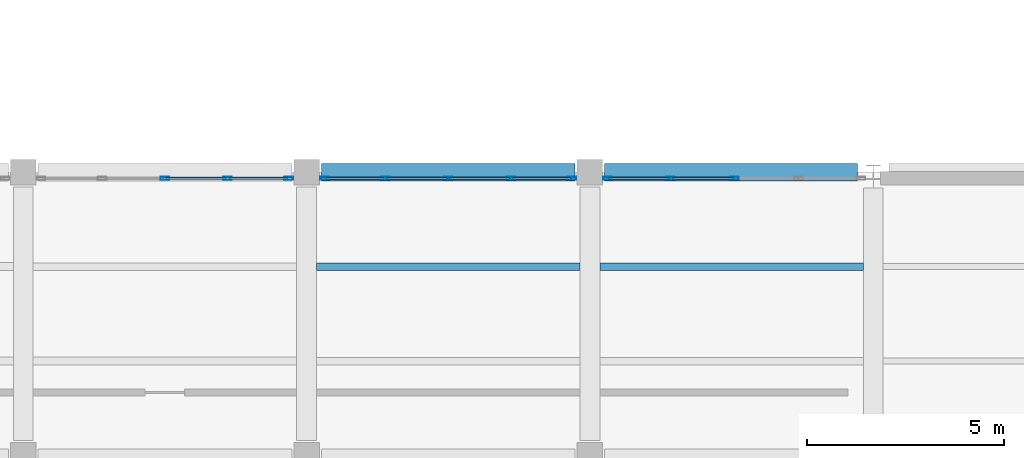
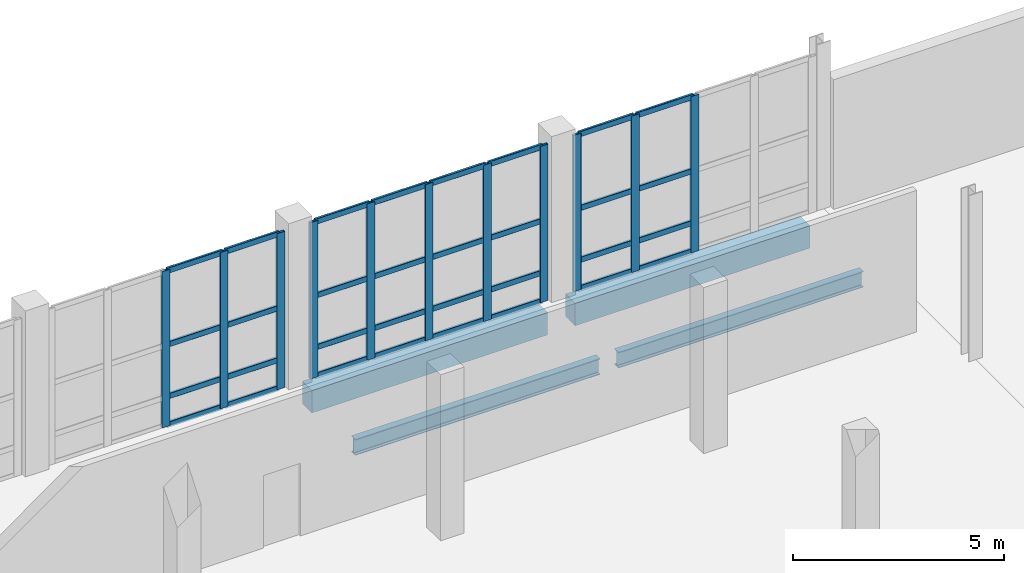
# One storey, part 39 of 127: 43 members, 4 beams, 3 elements without a shape of their own.
"""IFC4 building model written with IfcOpenShell, lengths in metres."""

from ifc_helpers import new_model, si_unit, direction, frame, origin, origin_2d, place, context, subcontext, project, spatial, rectangle, hollow_rectangle, i_section, extrude, material, material_profile, profile_set, type_object, element, aggregate, save


model = new_model("IFC4")

# Units and contexts
model_context = context("Model", 3, precision=1e-05, world=origin(), true_north=direction((0.0, 1.0)))
body_context = subcontext(model_context, "Body", "Model", "MODEL_VIEW")
ifc_project = project(units=[si_unit("LENGTHUNIT", "METRE"), si_unit("AREAUNIT", "SQUARE_METRE"), si_unit("VOLUMEUNIT", "CUBIC_METRE"), si_unit("PLANEANGLEUNIT", "RADIAN"), si_unit("MASSUNIT", "GRAM", prefix="KILO")], contexts=[model_context])

# Site, building, storey
site_placement = place(None, origin())
site = spatial("IfcSite", under=ifc_project, at=site_placement, CompositionType="ELEMENT")
building_placement = place(site_placement, origin())
building = spatial("IfcBuilding", under=site, at=building_placement, Name="Kalmorath City Hall", CompositionType="ELEMENT")
storey_placement = place(building_placement, frame((0.0, 0.0, 5.39990234375)))
storey = spatial("IfcBuildingStorey", under=building, at=storey_placement, Name="L01", CompositionType="ELEMENT", Elevation=5.39990234375)

# Beams
ifc_material_1 = material(Name="Concrete C40/50", Category="concrete")
ifc_material_profile_1 = material_profile(ifc_material_1, rectangle(XDim=0.449951171875, YDim=0.64990234375, at=origin_2d()), Name="RC-BM-450X650")
ifc_profile_set_1 = profile_set([ifc_material_profile_1], Name="Concrete C40/50")
beam_type_1 = type_object("IfcBeamType", Name="Concrete spandrel beam 450x650", PredefinedType="SPANDREL", material=ifc_profile_set_1)
beam_1_placement = place(storey_placement, frame((101.175048828125, 43.199951171875, -0.64892578125), z_axis=(1.0, 0.0, 0.0), x_axis=(0.0, 1.0, 0.0)))
element("IfcBeam", 1, at=beam_1_placement, inside=storey, type_object=beam_type_1, Name="L01 girder CB5 X15-16/7", PredefinedType="SPANDREL", context=body_context, shape_type="SweptSolid", body=[
    extrude(rectangle(XDim=0.449951171875, YDim=0.64990234375, at=origin_2d()), origin(), (0.0, 0.0, 1.0), 6.449951171875),
])
beam_2_placement = place(storey_placement, frame((108.375, 43.199951171875, -0.64892578125), z_axis=(1.0, 0.0, 0.0), x_axis=(0.0, 1.0, 0.0)))
element("IfcBeam", 2, at=beam_2_placement, inside=storey, type_object=beam_type_1, Name="L01 girder CB5 X16-17/7", PredefinedType="SPANDREL", context=body_context, shape_type="SweptSolid", body=[
    extrude(rectangle(XDim=0.449951171875, YDim=0.64990234375, at=origin_2d()), origin(), (0.0, 0.0, 1.0), 6.425048828125),
])

# Curtain wall, members
ifc_material_2 = material(Name="Anodised aluminium and laminated glass", Category="aluminium")
curtain_wall_type_1 = type_object("IfcCurtainWallType", Name="Unitised hurricane curtain wall 6370x4520 M1500", PredefinedType="NOTDEFINED", material=ifc_material_2)
curtain_wall_1_placement = place(storey_placement, origin())
curtain_wall_1 = element("IfcCurtainWall", 3, at=curtain_wall_1_placement, inside=storey, type_object=curtain_wall_type_1, Name="L01 curtain wall CW-64X45M15 #90", PredefinedType="NOTDEFINED")
ifc_material_3 = material(Name="Anodised aluminium framing", Category="aluminium")
ifc_material_profile_2 = material_profile(ifc_material_3, hollow_rectangle(XDim=0.074951171875, YDim=0.219970703125, WallThickness=0.00390625, InnerFilletRadius=0.00390625, OuterFilletRadius=0.008056640625, at=origin_2d()), Name="ALU-MUL-220X75X4")
ifc_profile_set_2 = profile_set([ifc_material_profile_2], Name="Anodised aluminium framing")
member_type_1 = type_object("IfcMemberType", Name="Curtain-wall primary mullion 220x75", PredefinedType="MULLION", material=ifc_profile_set_2)
member_1_placement = place(storey_placement, frame((97.199951171875, 43.0400390625, 0.0), z_axis=(0.0, 0.0, 1.0), x_axis=(0.0, 1.0, 0.0)))
member_1 = element("IfcMember", 4, at=member_1_placement, type_object=member_type_1, Name="CW-64X45M15 mullion 3", PredefinedType="MULLION", context=body_context, shape_type="SweptSolid", body=[
    extrude(hollow_rectangle(XDim=0.074951171875, YDim=0.219970703125, WallThickness=0.00390625, InnerFilletRadius=0.00390625, OuterFilletRadius=0.008056640625, at=origin_2d()), origin(), (0.0, 0.0, 1.0), 4.52001953125),
])
member_2_placement = place(storey_placement, frame((98.79248046875, 43.0400390625, 0.0), z_axis=(0.0, 0.0, 1.0), x_axis=(0.0, 1.0, 0.0)))
member_2 = element("IfcMember", 5, at=member_2_placement, type_object=member_type_1, Name="CW-64X45M15 mullion 4", PredefinedType="MULLION", context=body_context, shape_type="SweptSolid", body=[
    extrude(hollow_rectangle(XDim=0.074951171875, YDim=0.219970703125, WallThickness=0.00390625, InnerFilletRadius=0.00390625, OuterFilletRadius=0.008056640625, at=origin_2d()), origin(), (0.0, 0.0, 1.0), 4.52001953125),
])
member_3_placement = place(storey_placement, frame((100.347412109375, 43.0400390625, 0.0), z_axis=(0.0, 0.0, 1.0), x_axis=(0.0, 1.0, 0.0)))
member_3 = element("IfcMember", 6, at=member_3_placement, type_object=member_type_1, Name="CW-64X45M15 mullion 5", PredefinedType="MULLION", context=body_context, shape_type="SweptSolid", body=[
    extrude(hollow_rectangle(XDim=0.074951171875, YDim=0.219970703125, WallThickness=0.00390625, InnerFilletRadius=0.00390625, OuterFilletRadius=0.008056640625, at=origin_2d()), origin(), (0.0, 0.0, 1.0), 4.52001953125),
])

ifc_material_4 = material(Name="Anodised aluminium and laminated glass", Category="aluminium")
curtain_wall_type_2 = type_object("IfcCurtainWallType", Name="Unitised hurricane curtain wall 6370x4520 M1800", PredefinedType="NOTDEFINED", material=ifc_material_4)
curtain_wall_2_placement = place(storey_placement, origin())
curtain_wall_2 = element("IfcCurtainWall", 7, at=curtain_wall_2_placement, inside=storey, type_object=curtain_wall_type_2, Name="L01 curtain wall CW-64X45M18 #91", PredefinedType="NOTDEFINED")
member_4_placement = place(storey_placement, frame((101.25244140625, 43.0400390625, 0.0), z_axis=(0.0, 0.0, 1.0), x_axis=(0.0, 1.0, 0.0)))
member_4 = element("IfcMember", 8, at=member_4_placement, type_object=member_type_1, Name="CW-64X45M18 mullion 1", PredefinedType="MULLION", context=body_context, shape_type="SweptSolid", body=[
    extrude(hollow_rectangle(XDim=0.074951171875, YDim=0.219970703125, WallThickness=0.00390625, InnerFilletRadius=0.00390625, OuterFilletRadius=0.008056640625, at=origin_2d()), origin(), (0.0, 0.0, 1.0), 4.52001953125),
])
member_5_placement = place(storey_placement, frame((102.8076171875, 43.0400390625, 0.0), z_axis=(0.0, 0.0, 1.0), x_axis=(0.0, 1.0, 0.0)))
member_5 = element("IfcMember", 9, at=member_5_placement, type_object=member_type_1, Name="CW-64X45M18 mullion 2", PredefinedType="MULLION", context=body_context, shape_type="SweptSolid", body=[
    extrude(hollow_rectangle(XDim=0.074951171875, YDim=0.219970703125, WallThickness=0.00390625, InnerFilletRadius=0.00390625, OuterFilletRadius=0.008056640625, at=origin_2d()), origin(), (0.0, 0.0, 1.0), 4.52001953125),
])
member_6_placement = place(storey_placement, frame((104.39990234375, 43.0400390625, 0.0), z_axis=(0.0, 0.0, 1.0), x_axis=(0.0, 1.0, 0.0)))
member_6 = element("IfcMember", 10, at=member_6_placement, type_object=member_type_1, Name="CW-64X45M18 mullion 3", PredefinedType="MULLION", context=body_context, shape_type="SweptSolid", body=[
    extrude(hollow_rectangle(XDim=0.074951171875, YDim=0.219970703125, WallThickness=0.00390625, InnerFilletRadius=0.00390625, OuterFilletRadius=0.008056640625, at=origin_2d()), origin(), (0.0, 0.0, 1.0), 4.52001953125),
])
member_7_placement = place(storey_placement, frame((105.992431640625, 43.0400390625, 0.0), z_axis=(0.0, 0.0, 1.0), x_axis=(0.0, 1.0, 0.0)))
member_7 = element("IfcMember", 11, at=member_7_placement, type_object=member_type_1, Name="CW-64X45M18 mullion 4", PredefinedType="MULLION", context=body_context, shape_type="SweptSolid", body=[
    extrude(hollow_rectangle(XDim=0.074951171875, YDim=0.219970703125, WallThickness=0.00390625, InnerFilletRadius=0.00390625, OuterFilletRadius=0.008056640625, at=origin_2d()), origin(), (0.0, 0.0, 1.0), 4.52001953125),
])
member_8_placement = place(storey_placement, frame((107.547607421875, 43.0400390625, 0.0), z_axis=(0.0, 0.0, 1.0), x_axis=(0.0, 1.0, 0.0)))
member_8 = element("IfcMember", 12, at=member_8_placement, type_object=member_type_1, Name="CW-64X45M18 mullion 5", PredefinedType="MULLION", context=body_context, shape_type="SweptSolid", body=[
    extrude(hollow_rectangle(XDim=0.074951171875, YDim=0.219970703125, WallThickness=0.00390625, InnerFilletRadius=0.00390625, OuterFilletRadius=0.008056640625, at=origin_2d()), origin(), (0.0, 0.0, 1.0), 4.52001953125),
])

ifc_material_5 = material(Name="Anodised aluminium and laminated glass", Category="aluminium")
curtain_wall_type_3 = type_object("IfcCurtainWallType", Name="Unitised hurricane curtain wall 6508x4520 M1500", PredefinedType="NOTDEFINED", material=ifc_material_5)
curtain_wall_3_placement = place(storey_placement, origin())
curtain_wall_3 = element("IfcCurtainWall", 13, at=curtain_wall_3_placement, inside=storey, type_object=curtain_wall_type_3, Name="L01 curtain wall CW-65X45M15 #92", PredefinedType="NOTDEFINED")
member_9_placement = place(storey_placement, frame((108.452392578125, 43.0400390625, 0.0), z_axis=(0.0, 0.0, 1.0), x_axis=(0.0, 1.0, 0.0)))
member_9 = element("IfcMember", 14, at=member_9_placement, type_object=member_type_1, Name="CW-65X45M15 mullion 1", PredefinedType="MULLION", context=body_context, shape_type="SweptSolid", body=[
    extrude(hollow_rectangle(XDim=0.074951171875, YDim=0.219970703125, WallThickness=0.00390625, InnerFilletRadius=0.00390625, OuterFilletRadius=0.008056640625, at=origin_2d()), origin(), (0.0, 0.0, 1.0), 4.52001953125),
])
member_10_placement = place(storey_placement, frame((110.0419921875, 43.0400390625, 0.0), z_axis=(0.0, 0.0, 1.0), x_axis=(0.0, 1.0, 0.0)))
member_10 = element("IfcMember", 15, at=member_10_placement, type_object=member_type_1, Name="CW-65X45M15 mullion 2", PredefinedType="MULLION", context=body_context, shape_type="SweptSolid", body=[
    extrude(hollow_rectangle(XDim=0.074951171875, YDim=0.219970703125, WallThickness=0.00390625, InnerFilletRadius=0.00390625, OuterFilletRadius=0.008056640625, at=origin_2d()), origin(), (0.0, 0.0, 1.0), 4.52001953125),
])
member_11_placement = place(storey_placement, frame((111.6689453125, 43.0400390625, 0.0), z_axis=(0.0, 0.0, 1.0), x_axis=(0.0, 1.0, 0.0)))
member_11 = element("IfcMember", 16, at=member_11_placement, type_object=member_type_1, Name="CW-65X45M15 mullion 3", PredefinedType="MULLION", context=body_context, shape_type="SweptSolid", body=[
    extrude(hollow_rectangle(XDim=0.074951171875, YDim=0.219970703125, WallThickness=0.00390625, InnerFilletRadius=0.00390625, OuterFilletRadius=0.008056640625, at=origin_2d()), origin(), (0.0, 0.0, 1.0), 4.52001953125),
])

# Member
ifc_material_6 = material(Name="Anodised aluminium framing", Category="aluminium")
ifc_material_profile_3 = material_profile(ifc_material_6, hollow_rectangle(XDim=0.06494140625, YDim=0.159912109375, WallThickness=0.00390625, InnerFilletRadius=0.00390625, OuterFilletRadius=0.008056640625, at=origin_2d()), Name="ALU-TRN-160X65X4")
ifc_profile_set_3 = profile_set([ifc_material_profile_3], Name="Anodised aluminium framing")
member_type_2 = type_object("IfcMemberType", Name="Curtain-wall primary transom 160x65", PredefinedType="USERDEFINED", material=ifc_profile_set_3)
member_12_placement = place(storey_placement, frame((97.237548828125, 43.0400390625, 0.03271484375), z_axis=(1.0, 0.0, 0.0), x_axis=(0.0, 1.0, 0.0)))
member_12 = element("IfcMember", 17, at=member_12_placement, type_object=member_type_2, Name="CW-64X45M15 transom 3.1", ObjectType="TRANSOM", PredefinedType="USERDEFINED", context=body_context, shape_type="SweptSolid", body=[
    extrude(hollow_rectangle(XDim=0.06494140625, YDim=0.159912109375, WallThickness=0.00390625, InnerFilletRadius=0.00390625, OuterFilletRadius=0.008056640625, at=origin_2d()), origin(), (0.0, 0.0, 1.0), 1.517333984375),
])

member_13_placement = place(storey_placement, frame((97.237548828125, 43.0400390625, 0.85009765625), z_axis=(1.0, 0.0, 0.0), x_axis=(0.0, 1.0, 0.0)))
member_13 = element("IfcMember", 18, at=member_13_placement, type_object=member_type_2, Name="CW-64X45M15 transom 3.2", ObjectType="TRANSOM", PredefinedType="USERDEFINED", context=body_context, shape_type="SweptSolid", body=[
    extrude(hollow_rectangle(XDim=0.06494140625, YDim=0.159912109375, WallThickness=0.00390625, InnerFilletRadius=0.00390625, OuterFilletRadius=0.008056640625, at=origin_2d()), origin(), (0.0, 0.0, 1.0), 1.517333984375),
])

member_14_placement = place(storey_placement, frame((97.237548828125, 43.0400390625, 2.35009765625), z_axis=(1.0, 0.0, 0.0), x_axis=(0.0, 1.0, 0.0)))
member_14 = element("IfcMember", 19, at=member_14_placement, type_object=member_type_2, Name="CW-64X45M15 transom 3.3", ObjectType="TRANSOM", PredefinedType="USERDEFINED", context=body_context, shape_type="SweptSolid", body=[
    extrude(hollow_rectangle(XDim=0.06494140625, YDim=0.159912109375, WallThickness=0.00390625, InnerFilletRadius=0.00390625, OuterFilletRadius=0.008056640625, at=origin_2d()), origin(), (0.0, 0.0, 1.0), 1.517333984375),
])

member_15_placement = place(storey_placement, frame((97.237548828125, 43.0400390625, 4.487548828125), z_axis=(1.0, 0.0, 0.0), x_axis=(0.0, 1.0, 0.0)))
member_15 = element("IfcMember", 20, at=member_15_placement, type_object=member_type_2, Name="CW-64X45M15 transom 3.4", ObjectType="TRANSOM", PredefinedType="USERDEFINED", context=body_context, shape_type="SweptSolid", body=[
    extrude(hollow_rectangle(XDim=0.06494140625, YDim=0.159912109375, WallThickness=0.00390625, InnerFilletRadius=0.00390625, OuterFilletRadius=0.008056640625, at=origin_2d()), origin(), (0.0, 0.0, 1.0), 1.517333984375),
])

member_16_placement = place(storey_placement, frame((98.830078125, 43.0400390625, 0.03271484375), z_axis=(1.0, 0.0, 0.0), x_axis=(0.0, 1.0, 0.0)))
member_16 = element("IfcMember", 21, at=member_16_placement, type_object=member_type_2, Name="CW-64X45M15 transom 4.1", ObjectType="TRANSOM", PredefinedType="USERDEFINED", context=body_context, shape_type="SweptSolid", body=[
    extrude(hollow_rectangle(XDim=0.06494140625, YDim=0.159912109375, WallThickness=0.00390625, InnerFilletRadius=0.00390625, OuterFilletRadius=0.008056640625, at=origin_2d()), origin(), (0.0, 0.0, 1.0), 1.47998046875),
])

member_17_placement = place(storey_placement, frame((98.830078125, 43.0400390625, 0.85009765625), z_axis=(1.0, 0.0, 0.0), x_axis=(0.0, 1.0, 0.0)))
member_17 = element("IfcMember", 22, at=member_17_placement, type_object=member_type_2, Name="CW-64X45M15 transom 4.2", ObjectType="TRANSOM", PredefinedType="USERDEFINED", context=body_context, shape_type="SweptSolid", body=[
    extrude(hollow_rectangle(XDim=0.06494140625, YDim=0.159912109375, WallThickness=0.00390625, InnerFilletRadius=0.00390625, OuterFilletRadius=0.008056640625, at=origin_2d()), origin(), (0.0, 0.0, 1.0), 1.47998046875),
])

member_18_placement = place(storey_placement, frame((98.830078125, 43.0400390625, 2.35009765625), z_axis=(1.0, 0.0, 0.0), x_axis=(0.0, 1.0, 0.0)))
member_18 = element("IfcMember", 23, at=member_18_placement, type_object=member_type_2, Name="CW-64X45M15 transom 4.3", ObjectType="TRANSOM", PredefinedType="USERDEFINED", context=body_context, shape_type="SweptSolid", body=[
    extrude(hollow_rectangle(XDim=0.06494140625, YDim=0.159912109375, WallThickness=0.00390625, InnerFilletRadius=0.00390625, OuterFilletRadius=0.008056640625, at=origin_2d()), origin(), (0.0, 0.0, 1.0), 1.47998046875),
])

member_19_placement = place(storey_placement, frame((98.830078125, 43.0400390625, 4.487548828125), z_axis=(1.0, 0.0, 0.0), x_axis=(0.0, 1.0, 0.0)))
member_19 = element("IfcMember", 24, at=member_19_placement, type_object=member_type_2, Name="CW-64X45M15 transom 4.4", ObjectType="TRANSOM", PredefinedType="USERDEFINED", context=body_context, shape_type="SweptSolid", body=[
    extrude(hollow_rectangle(XDim=0.06494140625, YDim=0.159912109375, WallThickness=0.00390625, InnerFilletRadius=0.00390625, OuterFilletRadius=0.008056640625, at=origin_2d()), origin(), (0.0, 0.0, 1.0), 1.47998046875),
])

aggregate(curtain_wall_1, [member_1, member_2, member_3, member_12, member_13, member_14, member_15, member_16, member_17, member_18, member_19])

member_20_placement = place(storey_placement, frame((101.2900390625, 43.0400390625, 0.03271484375), z_axis=(1.0, 0.0, 0.0), x_axis=(0.0, 1.0, 0.0)))
member_20 = element("IfcMember", 25, at=member_20_placement, type_object=member_type_2, Name="CW-64X45M18 transom 1.1", ObjectType="TRANSOM", PredefinedType="USERDEFINED", context=body_context, shape_type="SweptSolid", body=[
    extrude(hollow_rectangle(XDim=0.06494140625, YDim=0.159912109375, WallThickness=0.00390625, InnerFilletRadius=0.00390625, OuterFilletRadius=0.008056640625, at=origin_2d()), origin(), (0.0, 0.0, 1.0), 1.47998046875),
])

member_21_placement = place(storey_placement, frame((101.2900390625, 43.0400390625, 0.85009765625), z_axis=(1.0, 0.0, 0.0), x_axis=(0.0, 1.0, 0.0)))
member_21 = element("IfcMember", 26, at=member_21_placement, type_object=member_type_2, Name="CW-64X45M18 transom 1.2", ObjectType="TRANSOM", PredefinedType="USERDEFINED", context=body_context, shape_type="SweptSolid", body=[
    extrude(hollow_rectangle(XDim=0.06494140625, YDim=0.159912109375, WallThickness=0.00390625, InnerFilletRadius=0.00390625, OuterFilletRadius=0.008056640625, at=origin_2d()), origin(), (0.0, 0.0, 1.0), 1.47998046875),
])

member_22_placement = place(storey_placement, frame((101.2900390625, 43.0400390625, 2.35009765625), z_axis=(1.0, 0.0, 0.0), x_axis=(0.0, 1.0, 0.0)))
member_22 = element("IfcMember", 27, at=member_22_placement, type_object=member_type_2, Name="CW-64X45M18 transom 1.3", ObjectType="TRANSOM", PredefinedType="USERDEFINED", context=body_context, shape_type="SweptSolid", body=[
    extrude(hollow_rectangle(XDim=0.06494140625, YDim=0.159912109375, WallThickness=0.00390625, InnerFilletRadius=0.00390625, OuterFilletRadius=0.008056640625, at=origin_2d()), origin(), (0.0, 0.0, 1.0), 1.47998046875),
])

member_23_placement = place(storey_placement, frame((101.2900390625, 43.0400390625, 4.487548828125), z_axis=(1.0, 0.0, 0.0), x_axis=(0.0, 1.0, 0.0)))
member_23 = element("IfcMember", 28, at=member_23_placement, type_object=member_type_2, Name="CW-64X45M18 transom 1.4", ObjectType="TRANSOM", PredefinedType="USERDEFINED", context=body_context, shape_type="SweptSolid", body=[
    extrude(hollow_rectangle(XDim=0.06494140625, YDim=0.159912109375, WallThickness=0.00390625, InnerFilletRadius=0.00390625, OuterFilletRadius=0.008056640625, at=origin_2d()), origin(), (0.0, 0.0, 1.0), 1.47998046875),
])

member_24_placement = place(storey_placement, frame((102.844970703125, 43.0400390625, 0.03271484375), z_axis=(1.0, 0.0, 0.0), x_axis=(0.0, 1.0, 0.0)))
member_24 = element("IfcMember", 29, at=member_24_placement, type_object=member_type_2, Name="CW-64X45M18 transom 2.1", ObjectType="TRANSOM", PredefinedType="USERDEFINED", context=body_context, shape_type="SweptSolid", body=[
    extrude(hollow_rectangle(XDim=0.06494140625, YDim=0.159912109375, WallThickness=0.00390625, InnerFilletRadius=0.00390625, OuterFilletRadius=0.008056640625, at=origin_2d()), origin(), (0.0, 0.0, 1.0), 1.517578125),
])

member_25_placement = place(storey_placement, frame((102.844970703125, 43.0400390625, 0.85009765625), z_axis=(1.0, 0.0, 0.0), x_axis=(0.0, 1.0, 0.0)))
member_25 = element("IfcMember", 30, at=member_25_placement, type_object=member_type_2, Name="CW-64X45M18 transom 2.2", ObjectType="TRANSOM", PredefinedType="USERDEFINED", context=body_context, shape_type="SweptSolid", body=[
    extrude(hollow_rectangle(XDim=0.06494140625, YDim=0.159912109375, WallThickness=0.00390625, InnerFilletRadius=0.00390625, OuterFilletRadius=0.008056640625, at=origin_2d()), origin(), (0.0, 0.0, 1.0), 1.517578125),
])

member_26_placement = place(storey_placement, frame((102.844970703125, 43.0400390625, 2.35009765625), z_axis=(1.0, 0.0, 0.0), x_axis=(0.0, 1.0, 0.0)))
member_26 = element("IfcMember", 31, at=member_26_placement, type_object=member_type_2, Name="CW-64X45M18 transom 2.3", ObjectType="TRANSOM", PredefinedType="USERDEFINED", context=body_context, shape_type="SweptSolid", body=[
    extrude(hollow_rectangle(XDim=0.06494140625, YDim=0.159912109375, WallThickness=0.00390625, InnerFilletRadius=0.00390625, OuterFilletRadius=0.008056640625, at=origin_2d()), origin(), (0.0, 0.0, 1.0), 1.517578125),
])

member_27_placement = place(storey_placement, frame((102.844970703125, 43.0400390625, 4.487548828125), z_axis=(1.0, 0.0, 0.0), x_axis=(0.0, 1.0, 0.0)))
member_27 = element("IfcMember", 32, at=member_27_placement, type_object=member_type_2, Name="CW-64X45M18 transom 2.4", ObjectType="TRANSOM", PredefinedType="USERDEFINED", context=body_context, shape_type="SweptSolid", body=[
    extrude(hollow_rectangle(XDim=0.06494140625, YDim=0.159912109375, WallThickness=0.00390625, InnerFilletRadius=0.00390625, OuterFilletRadius=0.008056640625, at=origin_2d()), origin(), (0.0, 0.0, 1.0), 1.517578125),
])

member_28_placement = place(storey_placement, frame((104.4375, 43.0400390625, 0.03271484375), z_axis=(1.0, 0.0, 0.0), x_axis=(0.0, 1.0, 0.0)))
member_28 = element("IfcMember", 33, at=member_28_placement, type_object=member_type_2, Name="CW-64X45M18 transom 3.1", ObjectType="TRANSOM", PredefinedType="USERDEFINED", context=body_context, shape_type="SweptSolid", body=[
    extrude(hollow_rectangle(XDim=0.06494140625, YDim=0.159912109375, WallThickness=0.00390625, InnerFilletRadius=0.00390625, OuterFilletRadius=0.008056640625, at=origin_2d()), origin(), (0.0, 0.0, 1.0), 1.517578125),
])

member_29_placement = place(storey_placement, frame((104.4375, 43.0400390625, 0.85009765625), z_axis=(1.0, 0.0, 0.0), x_axis=(0.0, 1.0, 0.0)))
member_29 = element("IfcMember", 34, at=member_29_placement, type_object=member_type_2, Name="CW-64X45M18 transom 3.2", ObjectType="TRANSOM", PredefinedType="USERDEFINED", context=body_context, shape_type="SweptSolid", body=[
    extrude(hollow_rectangle(XDim=0.06494140625, YDim=0.159912109375, WallThickness=0.00390625, InnerFilletRadius=0.00390625, OuterFilletRadius=0.008056640625, at=origin_2d()), origin(), (0.0, 0.0, 1.0), 1.517578125),
])

member_30_placement = place(storey_placement, frame((104.4375, 43.0400390625, 2.35009765625), z_axis=(1.0, 0.0, 0.0), x_axis=(0.0, 1.0, 0.0)))
member_30 = element("IfcMember", 35, at=member_30_placement, type_object=member_type_2, Name="CW-64X45M18 transom 3.3", ObjectType="TRANSOM", PredefinedType="USERDEFINED", context=body_context, shape_type="SweptSolid", body=[
    extrude(hollow_rectangle(XDim=0.06494140625, YDim=0.159912109375, WallThickness=0.00390625, InnerFilletRadius=0.00390625, OuterFilletRadius=0.008056640625, at=origin_2d()), origin(), (0.0, 0.0, 1.0), 1.517578125),
])

member_31_placement = place(storey_placement, frame((104.4375, 43.0400390625, 4.487548828125), z_axis=(1.0, 0.0, 0.0), x_axis=(0.0, 1.0, 0.0)))
member_31 = element("IfcMember", 36, at=member_31_placement, type_object=member_type_2, Name="CW-64X45M18 transom 3.4", ObjectType="TRANSOM", PredefinedType="USERDEFINED", context=body_context, shape_type="SweptSolid", body=[
    extrude(hollow_rectangle(XDim=0.06494140625, YDim=0.159912109375, WallThickness=0.00390625, InnerFilletRadius=0.00390625, OuterFilletRadius=0.008056640625, at=origin_2d()), origin(), (0.0, 0.0, 1.0), 1.517578125),
])

member_32_placement = place(storey_placement, frame((106.030029296875, 43.0400390625, 0.03271484375), z_axis=(1.0, 0.0, 0.0), x_axis=(0.0, 1.0, 0.0)))
member_32 = element("IfcMember", 37, at=member_32_placement, type_object=member_type_2, Name="CW-64X45M18 transom 4.1", ObjectType="TRANSOM", PredefinedType="USERDEFINED", context=body_context, shape_type="SweptSolid", body=[
    extrude(hollow_rectangle(XDim=0.06494140625, YDim=0.159912109375, WallThickness=0.00390625, InnerFilletRadius=0.00390625, OuterFilletRadius=0.008056640625, at=origin_2d()), origin(), (0.0, 0.0, 1.0), 1.47998046875),
])

member_33_placement = place(storey_placement, frame((106.030029296875, 43.0400390625, 0.85009765625), z_axis=(1.0, 0.0, 0.0), x_axis=(0.0, 1.0, 0.0)))
member_33 = element("IfcMember", 38, at=member_33_placement, type_object=member_type_2, Name="CW-64X45M18 transom 4.2", ObjectType="TRANSOM", PredefinedType="USERDEFINED", context=body_context, shape_type="SweptSolid", body=[
    extrude(hollow_rectangle(XDim=0.06494140625, YDim=0.159912109375, WallThickness=0.00390625, InnerFilletRadius=0.00390625, OuterFilletRadius=0.008056640625, at=origin_2d()), origin(), (0.0, 0.0, 1.0), 1.47998046875),
])

member_34_placement = place(storey_placement, frame((106.030029296875, 43.0400390625, 2.35009765625), z_axis=(1.0, 0.0, 0.0), x_axis=(0.0, 1.0, 0.0)))
member_34 = element("IfcMember", 39, at=member_34_placement, type_object=member_type_2, Name="CW-64X45M18 transom 4.3", ObjectType="TRANSOM", PredefinedType="USERDEFINED", context=body_context, shape_type="SweptSolid", body=[
    extrude(hollow_rectangle(XDim=0.06494140625, YDim=0.159912109375, WallThickness=0.00390625, InnerFilletRadius=0.00390625, OuterFilletRadius=0.008056640625, at=origin_2d()), origin(), (0.0, 0.0, 1.0), 1.47998046875),
])

member_35_placement = place(storey_placement, frame((106.030029296875, 43.0400390625, 4.487548828125), z_axis=(1.0, 0.0, 0.0), x_axis=(0.0, 1.0, 0.0)))
member_35 = element("IfcMember", 40, at=member_35_placement, type_object=member_type_2, Name="CW-64X45M18 transom 4.4", ObjectType="TRANSOM", PredefinedType="USERDEFINED", context=body_context, shape_type="SweptSolid", body=[
    extrude(hollow_rectangle(XDim=0.06494140625, YDim=0.159912109375, WallThickness=0.00390625, InnerFilletRadius=0.00390625, OuterFilletRadius=0.008056640625, at=origin_2d()), origin(), (0.0, 0.0, 1.0), 1.47998046875),
])

aggregate(curtain_wall_2, [member_4, member_5, member_6, member_7, member_8, member_20, member_21, member_22, member_23, member_24, member_25, member_26, member_27, member_28, member_29, member_30, member_31, member_32, member_33, member_34, member_35])

member_36_placement = place(storey_placement, frame((108.489990234375, 43.0400390625, 0.03271484375), z_axis=(1.0, 0.0, 0.0), x_axis=(0.0, 1.0, 0.0)))
member_36 = element("IfcMember", 41, at=member_36_placement, type_object=member_type_2, Name="CW-65X45M15 transom 1.1", ObjectType="TRANSOM", PredefinedType="USERDEFINED", context=body_context, shape_type="SweptSolid", body=[
    extrude(hollow_rectangle(XDim=0.06494140625, YDim=0.159912109375, WallThickness=0.00390625, InnerFilletRadius=0.00390625, OuterFilletRadius=0.008056640625, at=origin_2d()), origin(), (0.0, 0.0, 1.0), 1.514404296875),
])

member_37_placement = place(storey_placement, frame((108.489990234375, 43.0400390625, 0.85009765625), z_axis=(1.0, 0.0, 0.0), x_axis=(0.0, 1.0, 0.0)))
member_37 = element("IfcMember", 42, at=member_37_placement, type_object=member_type_2, Name="CW-65X45M15 transom 1.2", ObjectType="TRANSOM", PredefinedType="USERDEFINED", context=body_context, shape_type="SweptSolid", body=[
    extrude(hollow_rectangle(XDim=0.06494140625, YDim=0.159912109375, WallThickness=0.00390625, InnerFilletRadius=0.00390625, OuterFilletRadius=0.008056640625, at=origin_2d()), origin(), (0.0, 0.0, 1.0), 1.514404296875),
])

member_38_placement = place(storey_placement, frame((108.489990234375, 43.0400390625, 2.35009765625), z_axis=(1.0, 0.0, 0.0), x_axis=(0.0, 1.0, 0.0)))
member_38 = element("IfcMember", 43, at=member_38_placement, type_object=member_type_2, Name="CW-65X45M15 transom 1.3", ObjectType="TRANSOM", PredefinedType="USERDEFINED", context=body_context, shape_type="SweptSolid", body=[
    extrude(hollow_rectangle(XDim=0.06494140625, YDim=0.159912109375, WallThickness=0.00390625, InnerFilletRadius=0.00390625, OuterFilletRadius=0.008056640625, at=origin_2d()), origin(), (0.0, 0.0, 1.0), 1.514404296875),
])

member_39_placement = place(storey_placement, frame((108.489990234375, 43.0400390625, 4.487548828125), z_axis=(1.0, 0.0, 0.0), x_axis=(0.0, 1.0, 0.0)))
member_39 = element("IfcMember", 44, at=member_39_placement, type_object=member_type_2, Name="CW-65X45M15 transom 1.4", ObjectType="TRANSOM", PredefinedType="USERDEFINED", context=body_context, shape_type="SweptSolid", body=[
    extrude(hollow_rectangle(XDim=0.06494140625, YDim=0.159912109375, WallThickness=0.00390625, InnerFilletRadius=0.00390625, OuterFilletRadius=0.008056640625, at=origin_2d()), origin(), (0.0, 0.0, 1.0), 1.514404296875),
])

member_40_placement = place(storey_placement, frame((110.07958984375, 43.0400390625, 0.03271484375), z_axis=(1.0, 0.0, 0.0), x_axis=(0.0, 1.0, 0.0)))
member_40 = element("IfcMember", 45, at=member_40_placement, type_object=member_type_2, Name="CW-65X45M15 transom 2.1", ObjectType="TRANSOM", PredefinedType="USERDEFINED", context=body_context, shape_type="SweptSolid", body=[
    extrude(hollow_rectangle(XDim=0.06494140625, YDim=0.159912109375, WallThickness=0.00390625, InnerFilletRadius=0.00390625, OuterFilletRadius=0.008056640625, at=origin_2d()), origin(), (0.0, 0.0, 1.0), 1.552001953125),
])

member_41_placement = place(storey_placement, frame((110.07958984375, 43.0400390625, 0.85009765625), z_axis=(1.0, 0.0, 0.0), x_axis=(0.0, 1.0, 0.0)))
member_41 = element("IfcMember", 46, at=member_41_placement, type_object=member_type_2, Name="CW-65X45M15 transom 2.2", ObjectType="TRANSOM", PredefinedType="USERDEFINED", context=body_context, shape_type="SweptSolid", body=[
    extrude(hollow_rectangle(XDim=0.06494140625, YDim=0.159912109375, WallThickness=0.00390625, InnerFilletRadius=0.00390625, OuterFilletRadius=0.008056640625, at=origin_2d()), origin(), (0.0, 0.0, 1.0), 1.552001953125),
])

member_42_placement = place(storey_placement, frame((110.07958984375, 43.0400390625, 2.35009765625), z_axis=(1.0, 0.0, 0.0), x_axis=(0.0, 1.0, 0.0)))
member_42 = element("IfcMember", 47, at=member_42_placement, type_object=member_type_2, Name="CW-65X45M15 transom 2.3", ObjectType="TRANSOM", PredefinedType="USERDEFINED", context=body_context, shape_type="SweptSolid", body=[
    extrude(hollow_rectangle(XDim=0.06494140625, YDim=0.159912109375, WallThickness=0.00390625, InnerFilletRadius=0.00390625, OuterFilletRadius=0.008056640625, at=origin_2d()), origin(), (0.0, 0.0, 1.0), 1.552001953125),
])

member_43_placement = place(storey_placement, frame((110.07958984375, 43.0400390625, 4.487548828125), z_axis=(1.0, 0.0, 0.0), x_axis=(0.0, 1.0, 0.0)))
member_43 = element("IfcMember", 48, at=member_43_placement, type_object=member_type_2, Name="CW-65X45M15 transom 2.4", ObjectType="TRANSOM", PredefinedType="USERDEFINED", context=body_context, shape_type="SweptSolid", body=[
    extrude(hollow_rectangle(XDim=0.06494140625, YDim=0.159912109375, WallThickness=0.00390625, InnerFilletRadius=0.00390625, OuterFilletRadius=0.008056640625, at=origin_2d()), origin(), (0.0, 0.0, 1.0), 1.552001953125),
])

aggregate(curtain_wall_3, [member_9, member_10, member_11, member_36, member_37, member_38, member_39, member_40, member_41, member_42, member_43])

# Beams
ifc_material_7 = material(Name="Steel ASTM A992 Grade 50", Category="steel")
ifc_material_profile_4 = material_profile(ifc_material_7, i_section(OverallWidth=0.19091796875, OverallDepth=0.45703125, WebThickness=0.009033203125, FlangeThickness=0.014404296875, FilletRadius=0.013916015625, at=origin_2d()), Name="W18X50")
ifc_profile_set_4 = profile_set([ifc_material_profile_4], Name="Steel ASTM A992 Grade 50")
beam_type_2 = type_object("IfcBeamType", Name="Steel composite joist W18X50", PredefinedType="JOIST", material=ifc_profile_set_4)
beam_3_placement = place(storey_placement, frame((108.25, 40.800048828125, -0.552490234375), z_axis=(1.0, 0.0, 0.0), x_axis=(0.0, 1.0, 0.0)))
element("IfcBeam", 49, at=beam_3_placement, inside=storey, type_object=beam_type_2, Name="L01 joist SJ3 16.6.2", PredefinedType="JOIST", context=body_context, shape_type="SweptSolid", body=[
    extrude(i_section(OverallWidth=0.19091796875, OverallDepth=0.45703125, WebThickness=0.009033203125, FlangeThickness=0.014404296875, FilletRadius=0.013916015625, at=origin_2d()), origin(), (0.0, 0.0, 1.0), 6.699951171875),
])
ifc_material_8 = material(Name="Steel ASTM A992 Grade 50", Category="steel")
ifc_material_profile_5 = material_profile(ifc_material_8, i_section(OverallWidth=0.19091796875, OverallDepth=0.4599609375, WebThickness=0.010009765625, FlangeThickness=0.01611328125, FilletRadius=0.013916015625, at=origin_2d()), Name="W18X55")
ifc_profile_set_5 = profile_set([ifc_material_profile_5], Name="Steel ASTM A992 Grade 50")
beam_type_3 = type_object("IfcBeamType", Name="Steel composite joist W18X55", PredefinedType="JOIST", material=ifc_profile_set_5)
beam_4_placement = place(storey_placement, frame((101.050048828125, 40.800048828125, -0.553955078125), z_axis=(1.0, 0.0, 0.0), x_axis=(0.0, 1.0, 0.0)))
element("IfcBeam", 50, at=beam_4_placement, inside=storey, type_object=beam_type_3, Name="L01 joist SJ2 15.6.2", PredefinedType="JOIST", context=body_context, shape_type="SweptSolid", body=[
    extrude(i_section(OverallWidth=0.19091796875, OverallDepth=0.4599609375, WebThickness=0.010009765625, FlangeThickness=0.01611328125, FilletRadius=0.013916015625, at=origin_2d()), origin(), (0.0, 0.0, 1.0), 6.699951171875),
])

save(model, "model.ifc")
